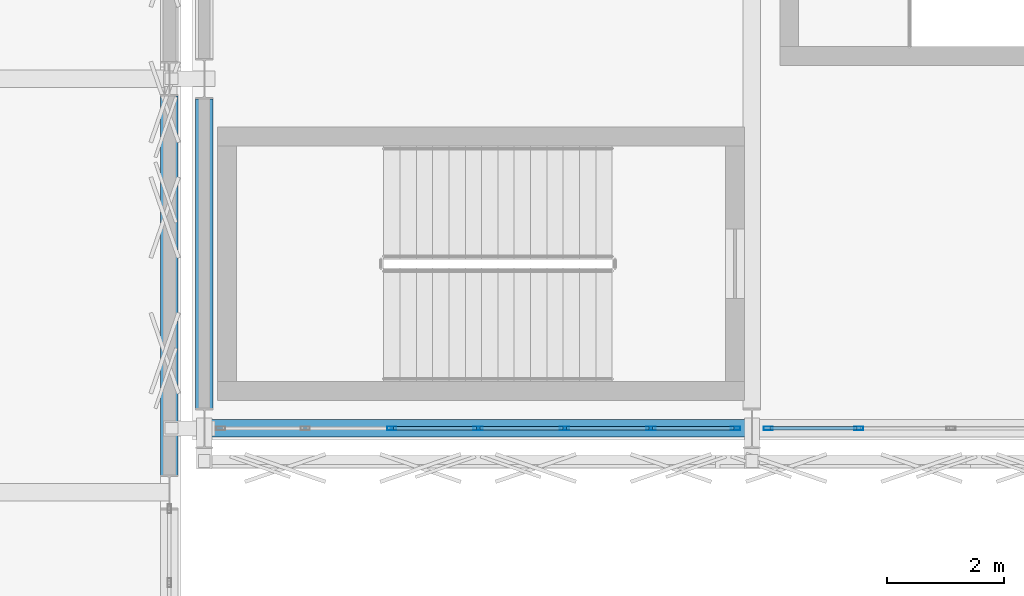
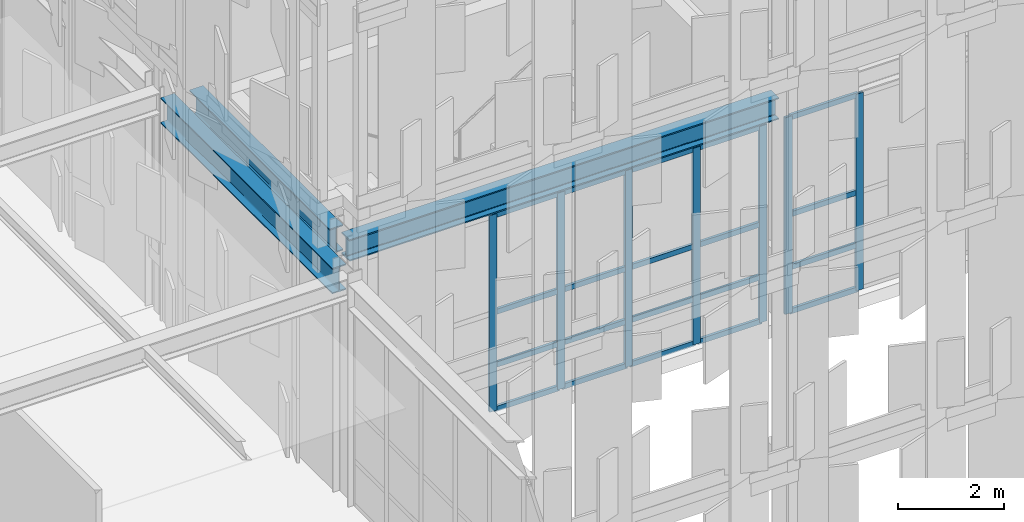
# One storey, part 157 of 239: 27 members, 3 beams, 2 elements without a shape of their own.
"""IFC4 building model written with IfcOpenShell, lengths in metres."""

from ifc_helpers import new_model, si_unit, direction, frame, origin, origin_2d, place, context, subcontext, project, spatial, hollow_rectangle, i_section, extrude, material, material_profile, profile_set, type_object, element, aggregate, save


model = new_model("IFC4")

# Units and contexts
model_context = context("Model", 3, precision=1e-05, world=origin(), true_north=direction((0.0, 1.0)))
body_context = subcontext(model_context, "Body", "Model", "MODEL_VIEW")
ifc_project = project(units=[si_unit("LENGTHUNIT", "METRE"), si_unit("AREAUNIT", "SQUARE_METRE"), si_unit("VOLUMEUNIT", "CUBIC_METRE"), si_unit("PLANEANGLEUNIT", "RADIAN"), si_unit("MASSUNIT", "GRAM", prefix="KILO")], contexts=[model_context])

# Site, building, storey
site_placement = place(None, origin())
site = spatial("IfcSite", under=ifc_project, at=site_placement, CompositionType="ELEMENT")
building_placement = place(site_placement, origin())
building = spatial("IfcBuilding", under=site, at=building_placement, Name="Kaldris Quays Convention Centre", CompositionType="ELEMENT")
storey_placement = place(building_placement, frame((0.0, 0.0, 11.39990234375)))
storey = spatial("IfcBuildingStorey", under=building, at=storey_placement, Name="L02", CompositionType="ELEMENT", Elevation=11.39990234375)

# Curtain wall, members
ifc_material_1 = material(Name="Anodized aluminium AW-6060 and triple glazing", Category="aluminium")
curtain_wall_type = type_object("IfcCurtainWallType", Name="UNITISED CURTAIN WALL CW01", PredefinedType="NOTDEFINED", material=ifc_material_1)
curtain_wall_1_placement = place(storey_placement, origin())
curtain_wall_1 = element("IfcCurtainWall", 1, at=curtain_wall_1_placement, inside=storey, type_object=curtain_wall_type, Name="L02 Unitised Curtain Wall CW01 29", PredefinedType="NOTDEFINED")
ifc_material_2 = material(Name="Anodized aluminium AW-6060", Category="aluminium")
ifc_material_profile_1 = material_profile(ifc_material_2, hollow_rectangle(XDim=0.06005859375, YDim=0.159912109375, WallThickness=0.00390625, at=origin_2d()), Name="RHS 160x60x4")
ifc_profile_set_1 = profile_set([ifc_material_profile_1], Name="Anodized aluminium AW-6060")
member_type_1 = type_object("IfcMemberType", Name="CURTAIN MULLION CWM1", PredefinedType="MULLION", material=ifc_profile_set_1)
member_1_placement = place(storey_placement, frame((167.816650390625, 56.0, 0.0), z_axis=(0.0, 0.0, 1.0), x_axis=(0.0, 1.0, 0.0)))
member_1 = element("IfcMember", 2, at=member_1_placement, type_object=member_type_1, Name="CW01 mullion 3", PredefinedType="MULLION", context=body_context, shape_type="SweptSolid", body=[
    extrude(hollow_rectangle(XDim=0.06005859375, YDim=0.159912109375, WallThickness=0.00390625, at=origin_2d()), origin(), (0.0, 0.0, 1.0), 4.548095703125),
])
member_2_placement = place(storey_placement, frame((169.300048828125, 56.0, 0.0), z_axis=(0.0, 0.0, 1.0), x_axis=(0.0, 1.0, 0.0)))
member_2 = element("IfcMember", 3, at=member_2_placement, type_object=member_type_1, Name="CW01 mullion 4", PredefinedType="MULLION", context=body_context, shape_type="SweptSolid", body=[
    extrude(hollow_rectangle(XDim=0.06005859375, YDim=0.159912109375, WallThickness=0.00390625, at=origin_2d()), origin(), (0.0, 0.0, 1.0), 4.548095703125),
])
member_3_placement = place(storey_placement, frame((170.783447265625, 56.0, 0.0), z_axis=(0.0, 0.0, 1.0), x_axis=(0.0, 1.0, 0.0)))
member_3 = element("IfcMember", 4, at=member_3_placement, type_object=member_type_1, Name="CW01 mullion 5", PredefinedType="MULLION", context=body_context, shape_type="SweptSolid", body=[
    extrude(hollow_rectangle(XDim=0.06005859375, YDim=0.159912109375, WallThickness=0.00390625, at=origin_2d()), origin(), (0.0, 0.0, 1.0), 4.548095703125),
])
member_4_placement = place(storey_placement, frame((172.2666015625, 56.0, 0.0), z_axis=(0.0, 0.0, 1.0), x_axis=(0.0, 1.0, 0.0)))
member_4 = element("IfcMember", 5, at=member_4_placement, type_object=member_type_1, Name="CW01 mullion 6", PredefinedType="MULLION", context=body_context, shape_type="SweptSolid", body=[
    extrude(hollow_rectangle(XDim=0.06005859375, YDim=0.159912109375, WallThickness=0.00390625, at=origin_2d()), origin(), (0.0, 0.0, 1.0), 4.548095703125),
])
member_5_placement = place(storey_placement, frame((173.719970703125, 56.0, 0.0), z_axis=(0.0, 0.0, 1.0), x_axis=(0.0, 1.0, 0.0)))
member_5 = element("IfcMember", 6, at=member_5_placement, type_object=member_type_1, Name="CW01 mullion 7", PredefinedType="MULLION", context=body_context, shape_type="SweptSolid", body=[
    extrude(hollow_rectangle(XDim=0.06005859375, YDim=0.159912109375, WallThickness=0.00390625, at=origin_2d()), origin(), (0.0, 0.0, 1.0), 4.548095703125),
])

curtain_wall_2_placement = place(storey_placement, origin())
curtain_wall_2 = element("IfcCurtainWall", 7, at=curtain_wall_2_placement, inside=storey, type_object=curtain_wall_type, Name="L02 Unitised Curtain Wall CW01 30", PredefinedType="NOTDEFINED")
member_6_placement = place(storey_placement, frame((174.280029296875, 56.0, 0.0), z_axis=(0.0, 0.0, 1.0), x_axis=(0.0, 1.0, 0.0)))
member_6 = element("IfcMember", 8, at=member_6_placement, type_object=member_type_1, Name="CW01 mullion 1", PredefinedType="MULLION", context=body_context, shape_type="SweptSolid", body=[
    extrude(hollow_rectangle(XDim=0.06005859375, YDim=0.159912109375, WallThickness=0.00390625, at=origin_2d()), origin(), (0.0, 0.0, 1.0), 4.548095703125),
])
member_7_placement = place(storey_placement, frame((175.833251953125, 56.0, 0.0), z_axis=(0.0, 0.0, 1.0), x_axis=(0.0, 1.0, 0.0)))
member_7 = element("IfcMember", 9, at=member_7_placement, type_object=member_type_1, Name="CW01 mullion 2", PredefinedType="MULLION", context=body_context, shape_type="SweptSolid", body=[
    extrude(hollow_rectangle(XDim=0.06005859375, YDim=0.159912109375, WallThickness=0.00390625, at=origin_2d()), origin(), (0.0, 0.0, 1.0), 4.548095703125),
])

# Member
ifc_material_profile_2 = material_profile(ifc_material_2, hollow_rectangle(XDim=0.06005859375, YDim=0.1201171875, WallThickness=0.00390625, at=origin_2d()), Name="RHS 120x60x4")
ifc_profile_set_2 = profile_set([ifc_material_profile_2], Name="Anodized aluminium AW-6060")
member_type_2 = type_object("IfcMemberType", Name="CURTAIN TRANSOM CWT1", PredefinedType="USERDEFINED", material=ifc_profile_set_2)
member_8_placement = place(storey_placement, frame((167.8466796875, 56.0, 0.030029296875), z_axis=(1.0, 0.0, 0.0), x_axis=(0.0, 1.0, 0.0)))
member_8 = element("IfcMember", 10, at=member_8_placement, type_object=member_type_2, Name="CW01 transom 3.1", ObjectType="TRANSOM", PredefinedType="USERDEFINED", context=body_context, shape_type="SweptSolid", body=[
    extrude(hollow_rectangle(XDim=0.06005859375, YDim=0.1201171875, WallThickness=0.00390625, at=origin_2d()), origin(), (0.0, 0.0, 1.0), 1.42333984375),
])

member_9_placement = place(storey_placement, frame((167.8466796875, 56.0, 1.050048828125), z_axis=(1.0, 0.0, 0.0), x_axis=(0.0, 1.0, 0.0)))
member_9 = element("IfcMember", 11, at=member_9_placement, type_object=member_type_2, Name="CW01 transom 3.2", ObjectType="TRANSOM", PredefinedType="USERDEFINED", context=body_context, shape_type="SweptSolid", body=[
    extrude(hollow_rectangle(XDim=0.06005859375, YDim=0.1201171875, WallThickness=0.00390625, at=origin_2d()), origin(), (0.0, 0.0, 1.0), 1.42333984375),
])

member_10_placement = place(storey_placement, frame((167.8466796875, 56.0, 2.274169921875), z_axis=(1.0, 0.0, 0.0), x_axis=(0.0, 1.0, 0.0)))
member_10 = element("IfcMember", 12, at=member_10_placement, type_object=member_type_2, Name="CW01 transom 3.3", ObjectType="TRANSOM", PredefinedType="USERDEFINED", context=body_context, shape_type="SweptSolid", body=[
    extrude(hollow_rectangle(XDim=0.06005859375, YDim=0.1201171875, WallThickness=0.00390625, at=origin_2d()), origin(), (0.0, 0.0, 1.0), 1.42333984375),
])

member_11_placement = place(storey_placement, frame((167.8466796875, 56.0, 4.51806640625), z_axis=(1.0, 0.0, 0.0), x_axis=(0.0, 1.0, 0.0)))
member_11 = element("IfcMember", 13, at=member_11_placement, type_object=member_type_2, Name="CW01 transom 3.4", ObjectType="TRANSOM", PredefinedType="USERDEFINED", context=body_context, shape_type="SweptSolid", body=[
    extrude(hollow_rectangle(XDim=0.06005859375, YDim=0.1201171875, WallThickness=0.00390625, at=origin_2d()), origin(), (0.0, 0.0, 1.0), 1.42333984375),
])

member_12_placement = place(storey_placement, frame((169.330078125, 56.0, 0.030029296875), z_axis=(1.0, 0.0, 0.0), x_axis=(0.0, 1.0, 0.0)))
member_12 = element("IfcMember", 14, at=member_12_placement, type_object=member_type_2, Name="CW01 transom 4.1", ObjectType="TRANSOM", PredefinedType="USERDEFINED", context=body_context, shape_type="SweptSolid", body=[
    extrude(hollow_rectangle(XDim=0.06005859375, YDim=0.1201171875, WallThickness=0.00390625, at=origin_2d()), origin(), (0.0, 0.0, 1.0), 1.42333984375),
])

member_13_placement = place(storey_placement, frame((169.330078125, 56.0, 1.050048828125), z_axis=(1.0, 0.0, 0.0), x_axis=(0.0, 1.0, 0.0)))
member_13 = element("IfcMember", 15, at=member_13_placement, type_object=member_type_2, Name="CW01 transom 4.2", ObjectType="TRANSOM", PredefinedType="USERDEFINED", context=body_context, shape_type="SweptSolid", body=[
    extrude(hollow_rectangle(XDim=0.06005859375, YDim=0.1201171875, WallThickness=0.00390625, at=origin_2d()), origin(), (0.0, 0.0, 1.0), 1.42333984375),
])

member_14_placement = place(storey_placement, frame((169.330078125, 56.0, 2.274169921875), z_axis=(1.0, 0.0, 0.0), x_axis=(0.0, 1.0, 0.0)))
member_14 = element("IfcMember", 16, at=member_14_placement, type_object=member_type_2, Name="CW01 transom 4.3", ObjectType="TRANSOM", PredefinedType="USERDEFINED", context=body_context, shape_type="SweptSolid", body=[
    extrude(hollow_rectangle(XDim=0.06005859375, YDim=0.1201171875, WallThickness=0.00390625, at=origin_2d()), origin(), (0.0, 0.0, 1.0), 1.42333984375),
])

member_15_placement = place(storey_placement, frame((169.330078125, 56.0, 4.51806640625), z_axis=(1.0, 0.0, 0.0), x_axis=(0.0, 1.0, 0.0)))
member_15 = element("IfcMember", 17, at=member_15_placement, type_object=member_type_2, Name="CW01 transom 4.4", ObjectType="TRANSOM", PredefinedType="USERDEFINED", context=body_context, shape_type="SweptSolid", body=[
    extrude(hollow_rectangle(XDim=0.06005859375, YDim=0.1201171875, WallThickness=0.00390625, at=origin_2d()), origin(), (0.0, 0.0, 1.0), 1.42333984375),
])

member_16_placement = place(storey_placement, frame((170.813232421875, 56.0, 0.030029296875), z_axis=(1.0, 0.0, 0.0), x_axis=(0.0, 1.0, 0.0)))
member_16 = element("IfcMember", 18, at=member_16_placement, type_object=member_type_2, Name="CW01 transom 5.1", ObjectType="TRANSOM", PredefinedType="USERDEFINED", context=body_context, shape_type="SweptSolid", body=[
    extrude(hollow_rectangle(XDim=0.06005859375, YDim=0.1201171875, WallThickness=0.00390625, at=origin_2d()), origin(), (0.0, 0.0, 1.0), 1.42333984375),
])

member_17_placement = place(storey_placement, frame((170.813232421875, 56.0, 1.050048828125), z_axis=(1.0, 0.0, 0.0), x_axis=(0.0, 1.0, 0.0)))
member_17 = element("IfcMember", 19, at=member_17_placement, type_object=member_type_2, Name="CW01 transom 5.2", ObjectType="TRANSOM", PredefinedType="USERDEFINED", context=body_context, shape_type="SweptSolid", body=[
    extrude(hollow_rectangle(XDim=0.06005859375, YDim=0.1201171875, WallThickness=0.00390625, at=origin_2d()), origin(), (0.0, 0.0, 1.0), 1.42333984375),
])

member_18_placement = place(storey_placement, frame((170.813232421875, 56.0, 2.274169921875), z_axis=(1.0, 0.0, 0.0), x_axis=(0.0, 1.0, 0.0)))
member_18 = element("IfcMember", 20, at=member_18_placement, type_object=member_type_2, Name="CW01 transom 5.3", ObjectType="TRANSOM", PredefinedType="USERDEFINED", context=body_context, shape_type="SweptSolid", body=[
    extrude(hollow_rectangle(XDim=0.06005859375, YDim=0.1201171875, WallThickness=0.00390625, at=origin_2d()), origin(), (0.0, 0.0, 1.0), 1.42333984375),
])

member_19_placement = place(storey_placement, frame((170.813232421875, 56.0, 4.51806640625), z_axis=(1.0, 0.0, 0.0), x_axis=(0.0, 1.0, 0.0)))
member_19 = element("IfcMember", 21, at=member_19_placement, type_object=member_type_2, Name="CW01 transom 5.4", ObjectType="TRANSOM", PredefinedType="USERDEFINED", context=body_context, shape_type="SweptSolid", body=[
    extrude(hollow_rectangle(XDim=0.06005859375, YDim=0.1201171875, WallThickness=0.00390625, at=origin_2d()), origin(), (0.0, 0.0, 1.0), 1.42333984375),
])

member_20_placement = place(storey_placement, frame((172.296630859375, 56.0, 0.030029296875), z_axis=(1.0, 0.0, 0.0), x_axis=(0.0, 1.0, 0.0)))
member_20 = element("IfcMember", 22, at=member_20_placement, type_object=member_type_2, Name="CW01 transom 6.1", ObjectType="TRANSOM", PredefinedType="USERDEFINED", context=body_context, shape_type="SweptSolid", body=[
    extrude(hollow_rectangle(XDim=0.06005859375, YDim=0.1201171875, WallThickness=0.00390625, at=origin_2d()), origin(), (0.0, 0.0, 1.0), 1.393310546875),
])

member_21_placement = place(storey_placement, frame((172.296630859375, 56.0, 1.050048828125), z_axis=(1.0, 0.0, 0.0), x_axis=(0.0, 1.0, 0.0)))
member_21 = element("IfcMember", 23, at=member_21_placement, type_object=member_type_2, Name="CW01 transom 6.2", ObjectType="TRANSOM", PredefinedType="USERDEFINED", context=body_context, shape_type="SweptSolid", body=[
    extrude(hollow_rectangle(XDim=0.06005859375, YDim=0.1201171875, WallThickness=0.00390625, at=origin_2d()), origin(), (0.0, 0.0, 1.0), 1.393310546875),
])

member_22_placement = place(storey_placement, frame((172.296630859375, 56.0, 2.274169921875), z_axis=(1.0, 0.0, 0.0), x_axis=(0.0, 1.0, 0.0)))
member_22 = element("IfcMember", 24, at=member_22_placement, type_object=member_type_2, Name="CW01 transom 6.3", ObjectType="TRANSOM", PredefinedType="USERDEFINED", context=body_context, shape_type="SweptSolid", body=[
    extrude(hollow_rectangle(XDim=0.06005859375, YDim=0.1201171875, WallThickness=0.00390625, at=origin_2d()), origin(), (0.0, 0.0, 1.0), 1.393310546875),
])

member_23_placement = place(storey_placement, frame((172.296630859375, 56.0, 4.51806640625), z_axis=(1.0, 0.0, 0.0), x_axis=(0.0, 1.0, 0.0)))
member_23 = element("IfcMember", 25, at=member_23_placement, type_object=member_type_2, Name="CW01 transom 6.4", ObjectType="TRANSOM", PredefinedType="USERDEFINED", context=body_context, shape_type="SweptSolid", body=[
    extrude(hollow_rectangle(XDim=0.06005859375, YDim=0.1201171875, WallThickness=0.00390625, at=origin_2d()), origin(), (0.0, 0.0, 1.0), 1.393310546875),
])

aggregate(curtain_wall_1, [member_1, member_2, member_3, member_4, member_5, member_8, member_9, member_10, member_11, member_12, member_13, member_14, member_15, member_16, member_17, member_18, member_19, member_20, member_21, member_22, member_23])

member_24_placement = place(storey_placement, frame((174.31005859375, 56.0, 0.030029296875), z_axis=(1.0, 0.0, 0.0), x_axis=(0.0, 1.0, 0.0)))
member_24 = element("IfcMember", 26, at=member_24_placement, type_object=member_type_2, Name="CW01 transom 1.1", ObjectType="TRANSOM", PredefinedType="USERDEFINED", context=body_context, shape_type="SweptSolid", body=[
    extrude(hollow_rectangle(XDim=0.06005859375, YDim=0.1201171875, WallThickness=0.00390625, at=origin_2d()), origin(), (0.0, 0.0, 1.0), 1.4931640625),
])

member_25_placement = place(storey_placement, frame((174.31005859375, 56.0, 1.050048828125), z_axis=(1.0, 0.0, 0.0), x_axis=(0.0, 1.0, 0.0)))
member_25 = element("IfcMember", 27, at=member_25_placement, type_object=member_type_2, Name="CW01 transom 1.2", ObjectType="TRANSOM", PredefinedType="USERDEFINED", context=body_context, shape_type="SweptSolid", body=[
    extrude(hollow_rectangle(XDim=0.06005859375, YDim=0.1201171875, WallThickness=0.00390625, at=origin_2d()), origin(), (0.0, 0.0, 1.0), 1.4931640625),
])

member_26_placement = place(storey_placement, frame((174.31005859375, 56.0, 2.274169921875), z_axis=(1.0, 0.0, 0.0), x_axis=(0.0, 1.0, 0.0)))
member_26 = element("IfcMember", 28, at=member_26_placement, type_object=member_type_2, Name="CW01 transom 1.3", ObjectType="TRANSOM", PredefinedType="USERDEFINED", context=body_context, shape_type="SweptSolid", body=[
    extrude(hollow_rectangle(XDim=0.06005859375, YDim=0.1201171875, WallThickness=0.00390625, at=origin_2d()), origin(), (0.0, 0.0, 1.0), 1.4931640625),
])

member_27_placement = place(storey_placement, frame((174.31005859375, 56.0, 4.51806640625), z_axis=(1.0, 0.0, 0.0), x_axis=(0.0, 1.0, 0.0)))
member_27 = element("IfcMember", 29, at=member_27_placement, type_object=member_type_2, Name="CW01 transom 1.4", ObjectType="TRANSOM", PredefinedType="USERDEFINED", context=body_context, shape_type="SweptSolid", body=[
    extrude(hollow_rectangle(XDim=0.06005859375, YDim=0.1201171875, WallThickness=0.00390625, at=origin_2d()), origin(), (0.0, 0.0, 1.0), 1.4931640625),
])

aggregate(curtain_wall_2, [member_6, member_7, member_24, member_25, member_26, member_27])

# Beams
ifc_material_3 = material(Name="Steel S355J2", Category="steel")
ifc_material_profile_3 = material_profile(ifc_material_3, i_section(OverallWidth=0.300048828125, OverallDepth=0.5, WebThickness=0.014404296875, FlangeThickness=0.028076171875, FilletRadius=0.027099609375, at=origin_2d()), Name="HEB 500")
ifc_profile_set_3 = profile_set([ifc_material_profile_3], Name="Steel S355J2")
beam_type_1 = type_object("IfcBeamType", Name="STRUCTURAL BEAM BM06", PredefinedType="BEAM", material=ifc_profile_set_3)
beam_1_placement = place(storey_placement, frame((164.6025390625, 56.0, 4.9130859375), z_axis=(1.0, 0.0, 0.0), x_axis=(0.0, 1.0, 0.0)))
element("IfcBeam", 30, at=beam_1_placement, inside=storey, type_object=beam_type_1, Name="L02 Girder BM06 1", PredefinedType="BEAM", context=body_context, shape_type="SweptSolid", body=[
    extrude(i_section(OverallWidth=0.300048828125, OverallDepth=0.5, WebThickness=0.014404296875, FlangeThickness=0.028076171875, FilletRadius=0.027099609375, at=origin_2d()), origin(), (0.0, 0.0, 1.0), 9.39501953125),
])
ifc_material_profile_4 = material_profile(ifc_material_3, i_section(OverallWidth=0.300048828125, OverallDepth=0.590087890625, WebThickness=0.012939453125, FlangeThickness=0.02490234375, FilletRadius=0.027099609375, at=origin_2d()), Name="HEA 600")
ifc_profile_set_4 = profile_set([ifc_material_profile_4], Name="Steel S355J2")
beam_type_2 = type_object("IfcBeamType", Name="STRUCTURAL BEAM BM08", PredefinedType="BEAM", material=ifc_profile_set_4)
beam_2_placement = place(storey_placement, frame((164.0, 55.194091796875, 4.8681640625), z_axis=(0.0, 1.0, 0.0), x_axis=(-1.0, 0.0, 0.0)))
element("IfcBeam", 31, at=beam_2_placement, inside=storey, type_object=beam_type_2, Name="L02 Girder BM08 92", PredefinedType="BEAM", context=body_context, shape_type="SweptSolid", body=[
    extrude(i_section(OverallWidth=0.300048828125, OverallDepth=0.590087890625, WebThickness=0.012939453125, FlangeThickness=0.02490234375, FilletRadius=0.027099609375, at=origin_2d()), origin(), (0.0, 0.0, 1.0), 6.511962890625),
])
beam_3_placement = place(storey_placement, frame((164.60009765625, 56.343994140625, 4.8681640625), z_axis=(0.0, 1.0, 0.0), x_axis=(-1.0, 0.0, 0.0)))
element("IfcBeam", 32, at=beam_3_placement, inside=storey, type_object=beam_type_2, Name="L02 Girder BM08 13", PredefinedType="BEAM", context=body_context, shape_type="SweptSolid", body=[
    extrude(i_section(OverallWidth=0.300048828125, OverallDepth=0.590087890625, WebThickness=0.012939453125, FlangeThickness=0.02490234375, FilletRadius=0.027099609375, at=origin_2d()), origin(), (0.0, 0.0, 1.0), 5.31201171875),
])

save(model, "model.ifc")
